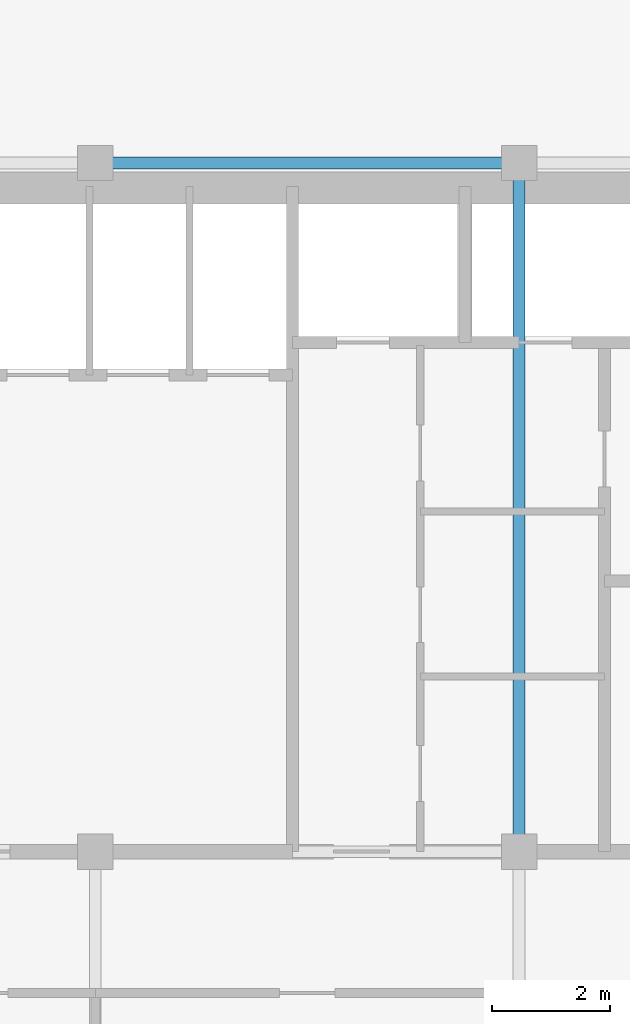
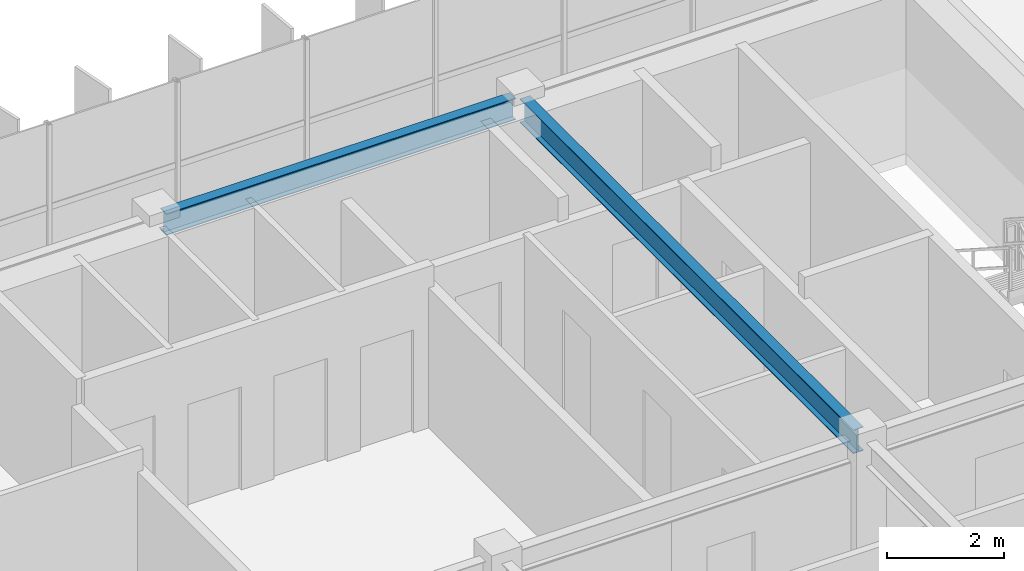
# One storey, part 10 of 23: 2 beams.
"""IFC4 building model written with IfcOpenShell, lengths in metres."""

from ifc_helpers import new_model, si_unit, direction, frame, origin, origin_2d, place, context, subcontext, project, spatial, i_section, extrude, source, transform, mapped, material, material_profile, profile_set, type_object, element, save


model = new_model("IFC4")

# Units and contexts
model_context = context("Model", 3, precision=1e-05, world=origin(), true_north=direction((0.0, 1.0)))
body_context = subcontext(model_context, "Body", "Model", "MODEL_VIEW")
ifc_project = project(units=[si_unit("LENGTHUNIT", "METRE"), si_unit("AREAUNIT", "SQUARE_METRE"), si_unit("VOLUMEUNIT", "CUBIC_METRE"), si_unit("PLANEANGLEUNIT", "RADIAN"), si_unit("MASSUNIT", "GRAM", prefix="KILO")], contexts=[model_context])

# Site, building, storey
site_placement = place(None, origin())
site = spatial("IfcSite", under=ifc_project, at=site_placement, CompositionType="ELEMENT")
building_placement = place(site_placement, origin())
building = spatial("IfcBuilding", under=site, at=building_placement, Name="Trelvane Seafront Commons", CompositionType="ELEMENT")
storey_placement = place(building_placement, frame((0.0, 0.0, 259.5)))
storey = spatial("IfcBuildingStorey", under=building, at=storey_placement, Name="L67", CompositionType="ELEMENT", Elevation=259.5)

# Beams
ifc_material = material(Name="Steel SM355 (S355)", Category="steel")
ifc_material_profile_1 = material_profile(ifc_material, i_section(OverallWidth=0.199951171875, OverallDepth=0.5, WebThickness=0.010009765625, FlangeThickness=0.01611328125, at=origin_2d()), Name="H-500x200x10x16")
ifc_profile_set_1 = profile_set([ifc_material_profile_1], Name="Steel SM355 (S355)")
beam_type_1 = type_object("IfcBeamType", Name="STR-BM-H500", PredefinedType="BEAM", material=ifc_profile_set_1)
shared_shape_1 = source(origin(), body_context, "Body", "SweptSolid", [
    extrude(i_section(OverallWidth=0.199951171875, OverallDepth=0.5, WebThickness=0.010009765625, FlangeThickness=0.01611328125, at=origin_2d()), origin(), (0.0, 0.0, 1.0), 11.39990234375),
])
beam_1_placement = place(storey_placement, frame((51.0, 33.550048828125, 3.1201171875), z_axis=(0.0, 1.0, 0.0), x_axis=(-1.0, 0.0, 0.0)))
element("IfcBeam", 1, at=beam_1_placement, inside=storey, type_object=beam_type_1, Name="L67 Primary Girder G-46", PredefinedType="BEAM", context=body_context, shape_type="MappedRepresentation", body=[
    mapped(shared_shape_1, transform((0.0, 0.0, 0.0), x_axis=(1.0, 0.0, 0.0), y_axis=(0.0, 1.0, 0.0), z_axis=(0.0, 0.0, 1.0), scale=1.0)),
])
ifc_material_profile_2 = material_profile(ifc_material, i_section(OverallWidth=0.199951171875, OverallDepth=0.449951171875, WebThickness=0.009033203125, FlangeThickness=0.013916015625, at=origin_2d()), Name="H-450x200x9x14")
ifc_profile_set_2 = profile_set([ifc_material_profile_2], Name="Steel SM355 (S355)")
beam_type_2 = type_object("IfcBeamType", Name="STR-SPD-H450", PredefinedType="SPANDREL", material=ifc_profile_set_2)
shared_shape_2 = source(origin(), body_context, "Body", "SweptSolid", [
    extrude(i_section(OverallWidth=0.199951171875, OverallDepth=0.449951171875, WebThickness=0.009033203125, FlangeThickness=0.013916015625, at=origin_2d()), origin(), (0.0, 0.0, 1.0), 6.900146484375),
])
beam_2_placement = place(storey_placement, frame((43.949951171875, 45.10009765625, 3.14501953125), z_axis=(1.0, 0.0, 0.0), x_axis=(0.0, 1.0, 0.0)))
element("IfcBeam", 2, at=beam_2_placement, inside=storey, type_object=beam_type_2, Name="L67 Primary Girder G-26", PredefinedType="SPANDREL", context=body_context, shape_type="MappedRepresentation", body=[
    mapped(shared_shape_2, transform((0.0, 0.0, 0.0), x_axis=(1.0, 0.0, 0.0), y_axis=(0.0, 1.0, 0.0), z_axis=(0.0, 0.0, 1.0), scale=1.0)),
])

save(model, "model.ifc")
